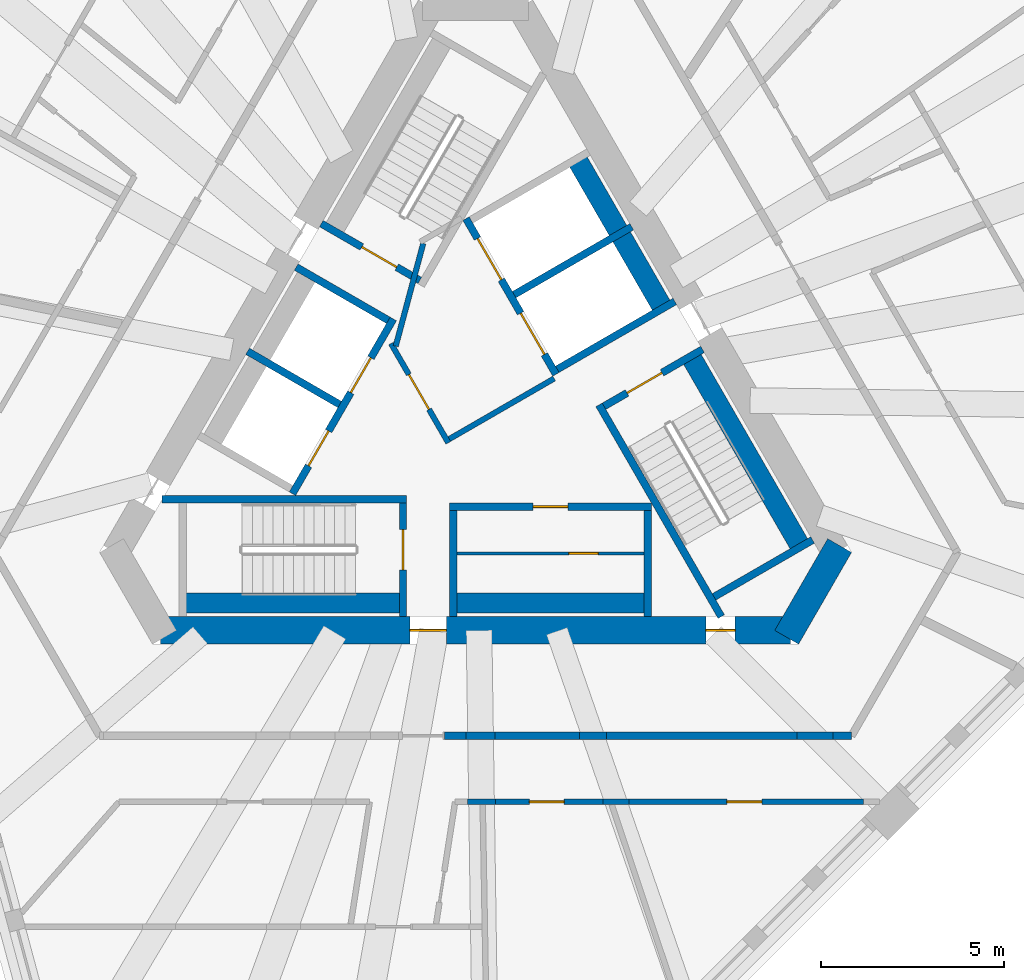
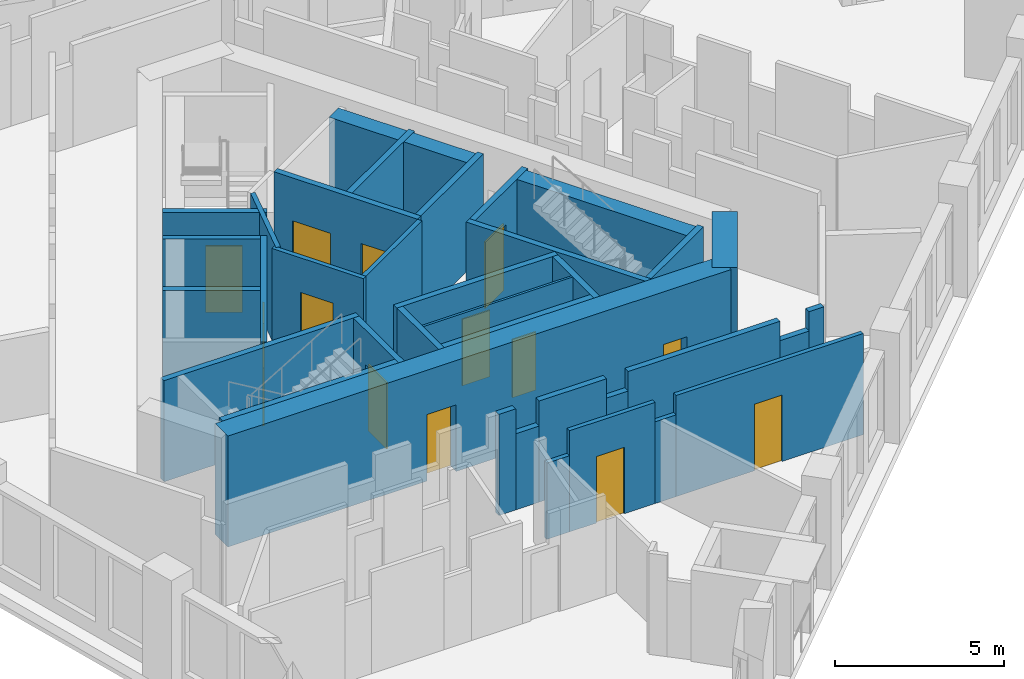
# One storey, part 4 of 13: 36 walls, 14 doors, 14 openings.
"""IFC4 building model written with IfcOpenShell, lengths in metres."""

from ifc_helpers import new_model, si_unit, direction, frame, frame_2d, origin, place, context, subcontext, project, spatial, rectangle, extrude, material, layer, layer_set, type_object, element, fill, save


model = new_model("IFC4")

# Units and contexts
model_context = context("Model", 3, precision=1e-05, world=origin(), true_north=direction((0.0, 1.0)))
body_context = subcontext(model_context, "Body", "Model", "MODEL_VIEW")
ifc_project = project(units=[si_unit("LENGTHUNIT", "METRE"), si_unit("AREAUNIT", "SQUARE_METRE"), si_unit("VOLUMEUNIT", "CUBIC_METRE"), si_unit("PLANEANGLEUNIT", "RADIAN"), si_unit("MASSUNIT", "GRAM", prefix="KILO")], contexts=[model_context])

# Site, building, storey
site_placement = place(None, origin())
site = spatial("IfcSite", under=ifc_project, at=site_placement, CompositionType="ELEMENT")
building_placement = place(site_placement, origin())
building = spatial("IfcBuilding", under=site, at=building_placement, Name="Tramontana Tower", CompositionType="ELEMENT")
storey_placement = place(building_placement, frame((0.0, 0.0, 228.0)))
storey = spatial("IfcBuildingStorey", under=building, at=storey_placement, Name="L53", CompositionType="ELEMENT", Elevation=228.0)

# Wall, openings, doors
ifc_material_1 = material(Name="Concrete 70 MPa", Category="concrete")
ifc_layer_1 = layer(ifc_material_1, 0.75)
ifc_layer_set_1 = layer_set([ifc_layer_1], Name="Core wall 750 70 MPa")
wall_type_1 = type_object("IfcWallType", Name="Core wall 750 70 MPa", PredefinedType="SHEAR", material=ifc_layer_set_1)
wall_1_placement = place(storey_placement, frame((-8.588134765625, -6.375, 0.0), z_axis=(0.0, 0.0, 1.0), x_axis=(1.0, 0.0, 0.0)))
wall_1 = element("IfcWall", 1, at=wall_1_placement, inside=storey, type_object=wall_type_1, Name="Core wall C3 L53", PredefinedType="SHEAR", context=body_context, shape_type="SweptSolid", body=[
    extrude(rectangle(XDim=17.17626953125, YDim=0.75, at=frame_2d((8.588134765625, 0.0))), origin(), (0.0, 0.0, 1.0), 4.0),
])
opening_1_placement = place(wall_1_placement, frame((6.793212890625, 0.0, 0.0)))
opening_1 = element("IfcOpeningElement", 2, at=opening_1_placement, cuts=wall_1, Name="Opening RG2", PredefinedType="OPENING", context=body_context, shape_type="SweptSolid", body=[
    extrude(rectangle(XDim=1.0, YDim=2.39990234375, at=frame_2d((0.5, 1.199951171875))), frame((0.0, 0.385009765625, 0.0), z_axis=(0.0, -1.0, 0.0), x_axis=(1.0, 0.0, 0.0)), (0.0, 0.0, 1.0), 0.77001953125),
])
opening_2_placement = place(wall_1_placement, frame((14.863525390625, 0.0, 0.0)))
opening_2 = element("IfcOpeningElement", 3, at=opening_2_placement, cuts=wall_1, Name="Opening PD2", PredefinedType="OPENING", context=body_context, shape_type="SweptSolid", body=[
    extrude(rectangle(XDim=0.800048828125, YDim=2.10009765625, at=frame_2d((0.39990234375, 1.050048828125))), frame((0.0, 0.385009765625, 0.0), z_axis=(0.0, -1.0, 0.0), x_axis=(1.0, 0.0, 0.0)), (0.0, 0.0, 1.0), 0.77001953125),
])
ifc_material_2 = material(Name="Painted steel", Category="steel")
door_type_1 = type_object("IfcDoorType", Name="CUPBOARD DOOR 800", OperationType="SINGLE_SWING_LEFT", PredefinedType="DOOR", material=ifc_material_2)
door_1_placement = place(opening_2_placement, origin())
door_1 = element("IfcDoor", 4, at=door_1_placement, inside=storey, type_object=door_type_1, Name="Door PD2", OperationType="SINGLE_SWING_RIGHT", OverallHeight=2.10009765625, OverallWidth=0.800048828125, PredefinedType="DOOR", context=body_context, shape_type="SweptSolid", body=[
    extrude(rectangle(XDim=0.800048828125, YDim=2.10009765625, at=frame_2d((0.39990234375, 1.050048828125))), frame((0.0, 0.02490234375, 0.0), z_axis=(0.0, -1.0, 0.0), x_axis=(1.0, 0.0, 0.0)), (0.0, 0.0, 1.0), 0.050048828125),
])
fill(opening_2, door_1)
ifc_material_3 = material(Name="Painted steel", Category="steel")
door_type_2 = type_object("IfcDoorType", Name="RING DOOR 1000", OperationType="SINGLE_SWING_LEFT", PredefinedType="DOOR", material=ifc_material_3)
door_2_placement = place(opening_1_placement, origin())
door_2 = element("IfcDoor", 5, at=door_2_placement, inside=storey, type_object=door_type_2, Name="Door RG2", OperationType="SINGLE_SWING_LEFT", OverallHeight=2.39990234375, OverallWidth=1.0, PredefinedType="DOOR", context=body_context, shape_type="SweptSolid", body=[
    extrude(rectangle(XDim=1.0, YDim=2.39990234375, at=frame_2d((0.5, 1.199951171875))), frame((0.0, 0.02490234375, 0.0), z_axis=(0.0, -1.0, 0.0), x_axis=(1.0, 0.0, 0.0)), (0.0, 0.0, 1.0), 0.050048828125),
])
fill(opening_1, door_2)

# Walls
wall_2_placement = place(storey_placement, frame((8.479736328125, -6.5625, 0.0), z_axis=(0.0, 0.0, 1.0), x_axis=(0.499995765644, 0.866027848477, 0.0)))
element("IfcWall", 6, at=wall_2_placement, inside=storey, type_object=wall_type_1, Name="Core wall C4 L53", PredefinedType="SHEAR", context=body_context, shape_type="SweptSolid", body=[
    extrude(rectangle(XDim=2.88671875, YDim=0.75, at=frame_2d((1.443359375, 0.0))), origin(), (0.0, 0.0, 1.0), 4.0),
])
ifc_material_4 = material(Name="Blockwork", Category="masonry")
ifc_layer_2 = layer(ifc_material_4, 0.199951171875)
ifc_layer_set_2 = layer_set([ifc_layer_2], Name="ENTRY WALL 200")
wall_type_2 = type_object("IfcWallType", Name="ENTRY WALL 200", PredefinedType="SOLIDWALL", material=ifc_layer_set_2)
wall_3_placement = place(storey_placement, frame((10.248046875, -9.25, 0.0), z_axis=(0.0, 0.0, 1.0), x_axis=(-1.0, 0.0, 0.0)))
element("IfcWall", 7, at=wall_3_placement, inside=storey, type_object=wall_type_2, Name="Wall v52-ew2-0", PredefinedType="SOLIDWALL", context=body_context, shape_type="SweptSolid", body=[
    extrude(rectangle(XDim=0.503173828125, YDim=0.199951171875, at=frame_2d((0.25146484375, 0.0))), origin(), (0.0, 0.0, 1.0), 3.64990234375),
])
wall_4_placement = place(storey_placement, frame((9.744873046875, -9.25, 0.0), z_axis=(0.0, 0.0, 1.0), x_axis=(-1.0, 0.0, 0.0)))
element("IfcWall", 8, at=wall_4_placement, inside=storey, type_object=wall_type_2, Name="Wall v52-ew2-1", PredefinedType="SOLIDWALL", context=body_context, shape_type="SweptSolid", body=[
    extrude(rectangle(XDim=0.98974609375, YDim=0.199951171875, at=frame_2d((0.494873046875, 0.0))), origin(), (0.0, 0.0, 1.0), 2.949951171875),
])
wall_5_placement = place(storey_placement, frame((8.755126953125, -9.25, 0.0), z_axis=(0.0, 0.0, 1.0), x_axis=(-1.0, 0.0, 0.0)))
element("IfcWall", 9, at=wall_5_placement, inside=storey, type_object=wall_type_2, Name="Wall v52-ew2-2", PredefinedType="SOLIDWALL", context=body_context, shape_type="SweptSolid", body=[
    extrude(rectangle(XDim=5.18212890625, YDim=0.199951171875, at=frame_2d((2.591064453125, 0.0))), origin(), (0.0, 0.0, 1.0), 3.64990234375),
])
wall_6_placement = place(storey_placement, frame((3.572998046875, -9.25, 0.0), z_axis=(0.0, 0.0, 1.0), x_axis=(-1.0, 0.0, 0.0)))
element("IfcWall", 10, at=wall_6_placement, inside=storey, type_object=wall_type_2, Name="Wall v52-ew2-3", PredefinedType="SOLIDWALL", context=body_context, shape_type="SweptSolid", body=[
    extrude(rectangle(XDim=0.74072265625, YDim=0.199951171875, at=frame_2d((0.370361328125, 0.0))), origin(), (0.0, 0.0, 1.0), 2.949951171875),
])
wall_7_placement = place(storey_placement, frame((2.832275390625, -9.25, 0.0), z_axis=(0.0, 0.0, 1.0), x_axis=(-1.0, 0.0, 0.0)))
element("IfcWall", 11, at=wall_7_placement, inside=storey, type_object=wall_type_2, Name="Wall v52-ew2-4", PredefinedType="SOLIDWALL", context=body_context, shape_type="SweptSolid", body=[
    extrude(rectangle(XDim=2.29736328125, YDim=0.199951171875, at=frame_2d((1.148681640625, 0.0))), origin(), (0.0, 0.0, 1.0), 3.64990234375),
])
wall_8_placement = place(storey_placement, frame((0.534912109375, -9.25, 0.0), z_axis=(0.0, 0.0, 1.0), x_axis=(-1.0, 0.0, 0.0)))
element("IfcWall", 12, at=wall_8_placement, inside=storey, type_object=wall_type_2, Name="Wall v52-ew2-5", PredefinedType="SOLIDWALL", context=body_context, shape_type="SweptSolid", body=[
    extrude(rectangle(XDim=0.800048828125, YDim=0.199951171875, at=frame_2d((0.39990234375, 0.0))), origin(), (0.0, 0.0, 1.0), 2.75),
])
wall_9_placement = place(storey_placement, frame((-0.26513671875, -9.25, 0.0), z_axis=(0.0, 0.0, 1.0), x_axis=(-1.0, 0.0, 0.0)))
element("IfcWall", 13, at=wall_9_placement, inside=storey, type_object=wall_type_2, Name="Wall v52-ew2-6", PredefinedType="SOLIDWALL", context=body_context, shape_type="SweptSolid", body=[
    extrude(rectangle(XDim=0.576171875, YDim=0.199951171875, at=frame_2d((0.2880859375, 0.0))), origin(), (0.0, 0.0, 1.0), 3.64990234375),
])

# Wall, opening, door
ifc_material_5 = material(Name="Gypsum board partition")
ifc_layer_3 = layer(ifc_material_5, 0.14990234375)
ifc_layer_set_3 = layer_set([ifc_layer_3], Name="PARTITION 150")
wall_type_3 = type_object("IfcWallType", Name="PARTITION 150", PredefinedType="PARTITIONING", material=ifc_layer_set_3)
wall_10_placement = place(storey_placement, frame((-0.744140625, -1.260986328125, 0.0), z_axis=(0.0, 0.0, 1.0), x_axis=(-0.500004234368, 0.866022959057, 0.0)))
wall_10 = element("IfcWall", 14, at=wall_10_placement, inside=storey, type_object=wall_type_3, Name="Wall ff-front", PredefinedType="PARTITIONING", context=body_context, shape_type="SweptSolid", body=[
    extrude(rectangle(XDim=3.125, YDim=0.14990234375, at=frame_2d((1.5625, 0.0))), origin(), (0.0, 0.0, 1.0), 3.64990234375),
])
opening_3_placement = place(wall_10_placement, frame((1.050048828125, 0.0, 0.0)))
opening_3 = element("IfcOpeningElement", 15, at=opening_3_placement, cuts=wall_10, Name="Opening FD1", PredefinedType="OPENING", context=body_context, shape_type="SweptSolid", body=[
    extrude(rectangle(XDim=1.10009765625, YDim=2.39990234375, at=frame_2d((0.550048828125, 1.199951171875))), frame((0.0, 0.0849609375, 0.0), z_axis=(0.0, -1.0, 0.0), x_axis=(1.0, 0.0, 0.0)), (0.0, 0.0, 1.0), 0.169921875),
])
ifc_material_6 = material(Name="Painted timber", Category="wood")
door_type_3 = type_object("IfcDoorType", Name="DOOR ENTRY 1100", OperationType="SINGLE_SWING_LEFT", PredefinedType="DOOR", material=ifc_material_6)
door_3_placement = place(opening_3_placement, origin())
door_3 = element("IfcDoor", 16, at=door_3_placement, inside=storey, type_object=door_type_3, Name="Door FD1", OperationType="SINGLE_SWING_LEFT", OverallHeight=2.39990234375, OverallWidth=1.10009765625, PredefinedType="DOOR", context=body_context, shape_type="SweptSolid", body=[
    extrude(rectangle(XDim=1.10009765625, YDim=2.39990234375, at=frame_2d((0.550048828125, 1.199951171875))), frame((0.0, 0.02490234375, 0.0), z_axis=(0.0, -1.0, 0.0), x_axis=(1.0, 0.0, 0.0)), (0.0, 0.0, 1.0), 0.050048828125),
])
fill(opening_3, door_3)

# Walls
wall_11_placement = place(storey_placement, frame((-0.716796875, -1.15869140625, 0.0), z_axis=(0.0, 0.0, 1.0), x_axis=(0.866008176907, 0.50002983664, 0.0)))
element("IfcWall", 17, at=wall_11_placement, inside=storey, type_object=wall_type_3, Name="Wall ff-end0", PredefinedType="PARTITIONING", context=body_context, shape_type="SweptSolid", body=[
    extrude(rectangle(XDim=3.300048828125, YDim=0.14990234375, at=frame_2d((1.64990234375, 0.0))), origin(), (0.0, 0.0, 1.0), 3.64990234375),
])
wall_12_placement = place(storey_placement, frame((-2.177978515625, 1.372314453125, 0.0), z_axis=(0.0, 0.0, 1.0), x_axis=(0.258808958833, 0.96592852884, 0.0)))
element("IfcWall", 18, at=wall_12_placement, inside=storey, type_object=wall_type_3, Name="Wall ff-diag", PredefinedType="PARTITIONING", context=body_context, shape_type="SweptSolid", body=[
    extrude(rectangle(XDim=2.902587890625, YDim=0.14990234375, at=frame_2d((1.451171875, 0.0))), origin(), (0.0, 0.0, 1.0), 3.64990234375),
])

# Wall, opening, door
wall_13_placement = place(storey_placement, frame((10.57275390625, -11.050048828125, 0.0), z_axis=(0.0, 0.0, 1.0), x_axis=(-1.0, 0.0, 0.0)))
wall_13 = element("IfcWall", 19, at=wall_13_placement, inside=storey, type_object=wall_type_3, Name="Wall v52-pw32-1", PredefinedType="PARTITIONING", context=body_context, shape_type="SweptSolid", body=[
    extrude(rectangle(XDim=6.3896484375, YDim=0.14990234375, at=frame_2d((3.19482421875, 0.0))), origin(), (0.0, 0.0, 1.0), 3.64990234375),
])
opening_4_placement = place(wall_13_placement, frame((2.77001953125, 0.0, 0.0)))
opening_4 = element("IfcOpeningElement", 20, at=opening_4_placement, cuts=wall_13, Name="Opening B5C-11", PredefinedType="OPENING", context=body_context, shape_type="SweptSolid", body=[
    extrude(rectangle(XDim=0.949951171875, YDim=2.39990234375, at=frame_2d((0.47509765625, 1.199951171875))), frame((0.0, 0.0849609375, 0.0), z_axis=(0.0, -1.0, 0.0), x_axis=(1.0, 0.0, 0.0)), (0.0, 0.0, 1.0), 0.169921875),
])
ifc_material_7 = material(Name="Painted timber", Category="wood")
door_type_4 = type_object("IfcDoorType", Name="DOOR ROOM 950", OperationType="SINGLE_SWING_LEFT", PredefinedType="DOOR", material=ifc_material_7)
door_4_placement = place(opening_4_placement, origin())
door_4 = element("IfcDoor", 21, at=door_4_placement, inside=storey, type_object=door_type_4, Name="Door B5C-11", OperationType="SINGLE_SWING_LEFT", OverallHeight=2.39990234375, OverallWidth=0.949951171875, PredefinedType="DOOR", context=body_context, shape_type="SweptSolid", body=[
    extrude(rectangle(XDim=0.949951171875, YDim=2.39990234375, at=frame_2d((0.47509765625, 1.199951171875))), frame((0.0, 0.02490234375, 0.0), z_axis=(0.0, -1.0, 0.0), x_axis=(1.0, 0.0, 0.0)), (0.0, 0.0, 1.0), 0.050048828125),
])
fill(opening_4, door_4)

# Wall
wall_14_placement = place(storey_placement, frame((4.18310546875, -11.050048828125, 0.0), z_axis=(0.0, 0.0, 1.0), x_axis=(-1.0, 0.0, 0.0)))
element("IfcWall", 22, at=wall_14_placement, inside=storey, type_object=wall_type_3, Name="Wall v52-pw32-2", PredefinedType="PARTITIONING", context=body_context, shape_type="SweptSolid", body=[
    extrude(rectangle(XDim=0.71435546875, YDim=0.14990234375, at=frame_2d((0.357177734375, 0.0))), origin(), (0.0, 0.0, 1.0), 2.949951171875),
])

# Wall, opening, door
wall_15_placement = place(storey_placement, frame((3.46875, -11.050048828125, 0.0), z_axis=(0.0, 0.0, 1.0), x_axis=(-1.0, 0.0, 0.0)))
wall_15 = element("IfcWall", 23, at=wall_15_placement, inside=storey, type_object=wall_type_3, Name="Wall v52-pw32-3", PredefinedType="PARTITIONING", context=body_context, shape_type="SweptSolid", body=[
    extrude(rectangle(XDim=2.919921875, YDim=0.14990234375, at=frame_2d((1.4599609375, 0.0))), origin(), (0.0, 0.0, 1.0), 3.64990234375),
])
opening_5_placement = place(wall_15_placement, frame((1.05419921875, 0.0, 0.0)))
opening_5 = element("IfcOpeningElement", 24, at=opening_5_placement, cuts=wall_15, Name="Opening B5C-10", PredefinedType="OPENING", context=body_context, shape_type="SweptSolid", body=[
    extrude(rectangle(XDim=0.949951171875, YDim=2.39990234375, at=frame_2d((0.47509765625, 1.199951171875))), frame((0.0, 0.0849609375, 0.0), z_axis=(0.0, -1.0, 0.0), x_axis=(1.0, 0.0, 0.0)), (0.0, 0.0, 1.0), 0.169921875),
])
door_5_placement = place(opening_5_placement, origin())
door_5 = element("IfcDoor", 25, at=door_5_placement, inside=storey, type_object=door_type_4, Name="Door B5C-10", OperationType="SINGLE_SWING_RIGHT", OverallHeight=2.39990234375, OverallWidth=0.949951171875, PredefinedType="DOOR", context=body_context, shape_type="SweptSolid", body=[
    extrude(rectangle(XDim=0.949951171875, YDim=2.39990234375, at=frame_2d((0.47509765625, 1.199951171875))), frame((0.0, 0.02490234375, 0.0), z_axis=(0.0, -1.0, 0.0), x_axis=(1.0, 0.0, 0.0)), (0.0, 0.0, 1.0), 0.050048828125),
])
fill(opening_5, door_5)

# Wall
wall_16_placement = place(storey_placement, frame((0.548828125, -11.050048828125, 0.0), z_axis=(0.0, 0.0, 1.0), x_axis=(-1.0, 0.0, 0.0)))
element("IfcWall", 26, at=wall_16_placement, inside=storey, type_object=wall_type_3, Name="Wall v52-pw32-4", PredefinedType="PARTITIONING", context=body_context, shape_type="SweptSolid", body=[
    extrude(rectangle(XDim=0.775146484375, YDim=0.14990234375, at=frame_2d((0.3876953125, 0.0))), origin(), (0.0, 0.0, 1.0), 2.75),
])

# Wall, opening, door
ifc_material_8 = material(Name="Gypsum board partition")
ifc_layer_4 = layer(ifc_material_8, 0.080078125)
ifc_layer_set_4 = layer_set([ifc_layer_4], Name="PARTITION 80")
wall_type_4 = type_object("IfcWallType", Name="PARTITION 80", PredefinedType="PARTITIONING", material=ifc_layer_set_4)
wall_17_placement = place(storey_placement, frame((4.590087890625, -4.27490234375, 0.0), z_axis=(0.0, 0.0, 1.0), x_axis=(-1.0, 0.0, 0.0)))
wall_17 = element("IfcWall", 27, at=wall_17_placement, inside=storey, type_object=wall_type_4, Name="Wall row1-split", PredefinedType="PARTITIONING", context=body_context, shape_type="SweptSolid", body=[
    extrude(rectangle(XDim=5.10009765625, YDim=0.080078125, at=frame_2d((2.550048828125, 0.0))), origin(), (0.0, 0.0, 1.0), 3.64990234375),
])
opening_6_placement = place(wall_17_placement, frame((1.25, 0.0, 0.0)))
opening_6 = element("IfcOpeningElement", 28, at=opening_6_placement, cuts=wall_17, Name="Opening RD-1B", PredefinedType="OPENING", context=body_context, shape_type="SweptSolid", body=[
    extrude(rectangle(XDim=0.800048828125, YDim=2.10009765625, at=frame_2d((0.39990234375, 1.050048828125))), frame((0.0, 0.050048828125, 0.0), z_axis=(0.0, -1.0, 0.0), x_axis=(1.0, 0.0, 0.0)), (0.0, 0.0, 1.0), 0.10009765625),
])
door_6_placement = place(opening_6_placement, origin())
door_6 = element("IfcDoor", 29, at=door_6_placement, inside=storey, type_object=door_type_1, Name="Door RD-1B", OperationType="SINGLE_SWING_RIGHT", OverallHeight=2.10009765625, OverallWidth=0.800048828125, PredefinedType="DOOR", context=body_context, shape_type="SweptSolid", body=[
    extrude(rectangle(XDim=0.800048828125, YDim=2.10009765625, at=frame_2d((0.39990234375, 1.050048828125))), frame((0.0, 0.02490234375, 0.0), z_axis=(0.0, -1.0, 0.0), x_axis=(1.0, 0.0, 0.0)), (0.0, 0.0, 1.0), 0.050048828125),
])
fill(opening_6, door_6)

# Walls
ifc_material_9 = material(Name="Concrete 70 MPa", Category="concrete")
ifc_layer_5 = layer(ifc_material_9, 0.550048828125)
ifc_layer_set_5 = layer_set([ifc_layer_5], Name="Concrete 70 MPa, 550 mm")
wall_type_5 = type_object("IfcWallType", Name="RC SHAFT BACK WALL 550", PredefinedType="SOLIDWALL", material=ifc_layer_set_5)
wall_18_placement = place(storey_placement, frame((-8.080078125, -5.625, 0.0), z_axis=(0.0, 0.0, 1.0), x_axis=(1.0, 0.0, 0.0)))
element("IfcWall", 30, at=wall_18_placement, inside=storey, type_object=wall_type_5, Name="Wall st2-back", PredefinedType="SOLIDWALL", context=body_context, shape_type="SweptSolid", body=[
    extrude(rectangle(XDim=6.2001953125, YDim=0.550048828125, at=frame_2d((3.10009765625, 0.0))), origin(), (0.0, 0.0, 1.0), 3.64990234375),
])
wall_19_placement = place(storey_placement, frame((8.911376953125, -4.18505859375, 0.0), z_axis=(0.0, 0.0, 1.0), x_axis=(-0.500009909098, 0.866019682689, 0.0)))
element("IfcWall", 31, at=wall_19_placement, inside=storey, type_object=wall_type_5, Name="Wall st3-back", PredefinedType="SOLIDWALL", context=body_context, shape_type="SweptSolid", body=[
    extrude(rectangle(XDim=6.199951171875, YDim=0.550048828125, at=frame_2d((3.10009765625, 0.0))), origin(), (0.0, 0.0, 1.0), 3.64990234375),
])
wall_20_placement = place(storey_placement, frame((-0.7099609375, -5.625, 0.0), z_axis=(0.0, 0.0, 1.0), x_axis=(1.0, 0.0, 0.0)))
element("IfcWall", 32, at=wall_20_placement, inside=storey, type_object=wall_type_5, Name="Wall row1-back", PredefinedType="SOLIDWALL", context=body_context, shape_type="SweptSolid", body=[
    extrude(rectangle(XDim=5.5, YDim=0.550048828125, at=frame_2d((2.75, 0.0))), origin(), (0.0, 0.0, 1.0), 3.64990234375),
])
wall_21_placement = place(storey_placement, frame((5.156494140625, 2.31884765625, 0.0), z_axis=(0.0, 0.0, 1.0), x_axis=(-0.500018594424, 0.866014668023, 0.0)))
element("IfcWall", 33, at=wall_21_placement, inside=storey, type_object=wall_type_5, Name="Wall row2-back", PredefinedType="SOLIDWALL", context=body_context, shape_type="SweptSolid", body=[
    extrude(rectangle(XDim=4.900146484375, YDim=0.550048828125, at=frame_2d((2.4501953125, 0.0))), origin(), (0.0, 0.0, 1.0), 3.64990234375),
])

# Wall, opening, door
ifc_material_10 = material(Name="Concrete 70 MPa", Category="concrete")
ifc_layer_6 = layer(ifc_material_10, 0.199951171875)
ifc_layer_set_6 = layer_set([ifc_layer_6], Name="Concrete 70 MPa, 200 mm")
wall_type_6 = type_object("IfcWallType", Name="RC STAIR AND SHAFT WALL 200", PredefinedType="SOLIDWALL", material=ifc_layer_set_6)
wall_22_placement = place(storey_placement, frame((-1.521484375, 3.164794921875, 0.0), z_axis=(0.0, 0.0, 1.0), x_axis=(-0.86600983753, 0.500026960575, 0.0)))
wall_22 = element("IfcWall", 34, at=wall_22_placement, inside=storey, type_object=wall_type_6, Name="Wall st1-near", PredefinedType="SOLIDWALL", context=body_context, shape_type="SweptSolid", body=[
    extrude(rectangle(XDim=3.099853515625, YDim=0.199951171875, at=frame_2d((1.5498046875, 0.0))), origin(), (0.0, 0.0, 1.0), 3.64990234375),
])
opening_7_placement = place(wall_22_placement, frame((0.72509765625, 0.0, 0.0)))
opening_7 = element("IfcOpeningElement", 35, at=opening_7_placement, cuts=wall_22, Name="Opening SD1", PredefinedType="OPENING", context=body_context, shape_type="SweptSolid", body=[
    extrude(rectangle(XDim=1.10009765625, YDim=2.39990234375, at=frame_2d((0.550048828125, 1.199951171875))), frame((0.0, 0.10986328125, 0.0), z_axis=(0.0, -1.0, 0.0), x_axis=(1.0, 0.0, 0.0)), (0.0, 0.0, 1.0), 0.219970703125),
])
ifc_material_11 = material(Name="Painted steel", Category="steel")
door_type_5 = type_object("IfcDoorType", Name="STAIR DOOR 1100", OperationType="SINGLE_SWING_LEFT", PredefinedType="DOOR", material=ifc_material_11)
door_7_placement = place(opening_7_placement, origin())
door_7 = element("IfcDoor", 36, at=door_7_placement, inside=storey, type_object=door_type_5, Name="Door SD1", OperationType="SINGLE_SWING_RIGHT", OverallHeight=2.39990234375, OverallWidth=1.10009765625, PredefinedType="DOOR", context=body_context, shape_type="SweptSolid", body=[
    extrude(rectangle(XDim=1.10009765625, YDim=2.39990234375, at=frame_2d((0.550048828125, 1.199951171875))), frame((0.0, 0.02490234375, 0.0), z_axis=(0.0, -1.0, 0.0), x_axis=(1.0, 0.0, 0.0)), (0.0, 0.0, 1.0), 0.050048828125),
])
fill(opening_7, door_7)

# Wall
wall_23_placement = place(storey_placement, frame((-8.544677734375, -2.800048828125, 0.0), z_axis=(0.0, 0.0, 1.0), x_axis=(1.0, 0.0, 0.0)))
element("IfcWall", 37, at=wall_23_placement, inside=storey, type_object=wall_type_6, Name="Wall st2-front", PredefinedType="SOLIDWALL", context=body_context, shape_type="SweptSolid", body=[
    extrude(rectangle(XDim=6.664794921875, YDim=0.199951171875, at=frame_2d((3.33251953125, 0.0))), origin(), (0.0, 0.0, 1.0), 3.64990234375),
])

# Wall, opening, door
wall_24_placement = place(storey_placement, frame((-1.97998046875, -2.89990234375, 0.0), z_axis=(0.0, 0.0, 1.0), x_axis=(0.0, -1.0, 0.0)))
wall_24 = element("IfcWall", 38, at=wall_24_placement, inside=storey, type_object=wall_type_6, Name="Wall st2-near", PredefinedType="SOLIDWALL", context=body_context, shape_type="SweptSolid", body=[
    extrude(rectangle(XDim=3.10009765625, YDim=0.199951171875, at=frame_2d((1.550048828125, 0.0))), origin(), (0.0, 0.0, 1.0), 3.64990234375),
])
opening_8_placement = place(wall_24_placement, frame((0.72509765625, 0.0, 0.0)))
opening_8 = element("IfcOpeningElement", 39, at=opening_8_placement, cuts=wall_24, Name="Opening SD2", PredefinedType="OPENING", context=body_context, shape_type="SweptSolid", body=[
    extrude(rectangle(XDim=1.10009765625, YDim=2.39990234375, at=frame_2d((0.550048828125, 1.199951171875))), frame((0.0, 0.10986328125, 0.0), z_axis=(0.0, -1.0, 0.0), x_axis=(1.0, 0.0, 0.0)), (0.0, 0.0, 1.0), 0.219970703125),
])
door_8_placement = place(opening_8_placement, origin())
door_8 = element("IfcDoor", 40, at=door_8_placement, inside=storey, type_object=door_type_5, Name="Door SD2", OperationType="SINGLE_SWING_LEFT", OverallHeight=2.39990234375, OverallWidth=1.10009765625, PredefinedType="DOOR", context=body_context, shape_type="SweptSolid", body=[
    extrude(rectangle(XDim=1.10009765625, YDim=2.39990234375, at=frame_2d((0.550048828125, 1.199951171875))), frame((0.0, 0.02490234375, 0.0), z_axis=(0.0, -1.0, 0.0), x_axis=(1.0, 0.0, 0.0)), (0.0, 0.0, 1.0), 0.050048828125),
])
fill(opening_8, door_8)

# Walls
wall_25_placement = place(storey_placement, frame((6.697265625, -6.0, 0.0), z_axis=(0.0, 0.0, 1.0), x_axis=(-0.499980354584, 0.866036745774, 0.0)))
element("IfcWall", 41, at=wall_25_placement, inside=storey, type_object=wall_type_6, Name="Wall st3-front", PredefinedType="SOLIDWALL", context=body_context, shape_type="SweptSolid", body=[
    extrude(rectangle(XDim=6.664794921875, YDim=0.199951171875, at=frame_2d((3.33251953125, 0.0))), origin(), (0.0, 0.0, 1.0), 3.64990234375),
])
wall_26_placement = place(storey_placement, frame((6.50146484375, -5.4609375, 0.0), z_axis=(0.0, 0.0, 1.0), x_axis=(0.86600983753, 0.500026960575, 0.0)))
element("IfcWall", 42, at=wall_26_placement, inside=storey, type_object=wall_type_6, Name="Wall st3-far", PredefinedType="SOLIDWALL", context=body_context, shape_type="SweptSolid", body=[
    extrude(rectangle(XDim=3.099853515625, YDim=0.199951171875, at=frame_2d((1.5498046875, 0.0))), origin(), (0.0, 0.0, 1.0), 3.64990234375),
])

# Wall, opening, door
wall_27_placement = place(storey_placement, frame((3.50146484375, -0.2646484375, 0.0), z_axis=(0.0, 0.0, 1.0), x_axis=(0.866043940782, 0.499967891604, 0.0)))
wall_27 = element("IfcWall", 43, at=wall_27_placement, inside=storey, type_object=wall_type_6, Name="Wall st3-near", PredefinedType="SOLIDWALL", context=body_context, shape_type="SweptSolid", body=[
    extrude(rectangle(XDim=3.099853515625, YDim=0.199951171875, at=frame_2d((1.5498046875, 0.0))), origin(), (0.0, 0.0, 1.0), 3.64990234375),
])
opening_9_placement = place(wall_27_placement, frame((0.72509765625, 0.0, 0.0)))
opening_9 = element("IfcOpeningElement", 44, at=opening_9_placement, cuts=wall_27, Name="Opening SD3", PredefinedType="OPENING", context=body_context, shape_type="SweptSolid", body=[
    extrude(rectangle(XDim=1.10009765625, YDim=2.39990234375, at=frame_2d((0.550048828125, 1.199951171875))), frame((0.0, 0.10986328125, 0.0), z_axis=(0.0, -1.0, 0.0), x_axis=(1.0, 0.0, 0.0)), (0.0, 0.0, 1.0), 0.219970703125),
])
door_9_placement = place(opening_9_placement, origin())
door_9 = element("IfcDoor", 45, at=door_9_placement, inside=storey, type_object=door_type_5, Name="Door SD3", OperationType="SINGLE_SWING_RIGHT", OverallHeight=2.39990234375, OverallWidth=1.10009765625, PredefinedType="DOOR", context=body_context, shape_type="SweptSolid", body=[
    extrude(rectangle(XDim=1.10009765625, YDim=2.39990234375, at=frame_2d((0.550048828125, 1.199951171875))), frame((0.0, 0.02490234375, 0.0), z_axis=(0.0, -1.0, 0.0), x_axis=(1.0, 0.0, 0.0)), (0.0, 0.0, 1.0), 0.050048828125),
])
fill(opening_9, door_9)

# Wall, openings, doors
wall_28_placement = place(storey_placement, frame((-2.2431640625, 2.114990234375, 0.0), z_axis=(0.0, 0.0, 1.0), x_axis=(-0.499996545922, -0.866027397988, 0.0)))
wall_28 = element("IfcWall", 46, at=wall_28_placement, inside=storey, type_object=wall_type_6, Name="Wall row0-front", PredefinedType="SOLIDWALL", context=body_context, shape_type="SweptSolid", body=[
    extrude(rectangle(XDim=5.5, YDim=0.199951171875, at=frame_2d((2.75, 0.0))), origin(), (0.0, 0.0, 1.0), 3.64990234375),
])
opening_10_placement = place(wall_28_placement, frame((1.219970703125, 0.0, 0.0)))
opening_10 = element("IfcOpeningElement", 47, at=opening_10_placement, cuts=wall_28, Name="Opening LD-P1", PredefinedType="OPENING", context=body_context, shape_type="SweptSolid", body=[
    extrude(rectangle(XDim=1.10009765625, YDim=2.10009765625, at=frame_2d((0.550048828125, 1.050048828125))), frame((0.0, 0.10986328125, 0.0), z_axis=(0.0, -1.0, 0.0), x_axis=(1.0, 0.0, 0.0)), (0.0, 0.0, 1.0), 0.219970703125),
])
opening_11_placement = place(wall_28_placement, frame((3.52490234375, 0.0, 0.0)))
opening_11 = element("IfcOpeningElement", 48, at=opening_11_placement, cuts=wall_28, Name="Opening LD-P2", PredefinedType="OPENING", context=body_context, shape_type="SweptSolid", body=[
    extrude(rectangle(XDim=1.10009765625, YDim=2.10009765625, at=frame_2d((0.550048828125, 1.050048828125))), frame((0.0, 0.10986328125, 0.0), z_axis=(0.0, -1.0, 0.0), x_axis=(1.0, 0.0, 0.0)), (0.0, 0.0, 1.0), 0.219970703125),
])
ifc_material_12 = material(Name="Brushed steel", Category="steel")
door_type_6 = type_object("IfcDoorType", Name="LANDING DOOR 1100", OperationType="SINGLE_SWING_LEFT", PredefinedType="DOOR", material=ifc_material_12)
door_10_placement = place(opening_10_placement, origin())
door_10 = element("IfcDoor", 49, at=door_10_placement, inside=storey, type_object=door_type_6, Name="Door LD-P1", OperationType="SLIDING_TO_LEFT", OverallHeight=2.10009765625, OverallWidth=1.10009765625, PredefinedType="DOOR", context=body_context, shape_type="SweptSolid", body=[
    extrude(rectangle(XDim=1.10009765625, YDim=2.10009765625, at=frame_2d((0.550048828125, 1.050048828125))), frame((0.0, 0.02490234375, 0.0), z_axis=(0.0, -1.0, 0.0), x_axis=(1.0, 0.0, 0.0)), (0.0, 0.0, 1.0), 0.050048828125),
])
fill(opening_10, door_10)
door_11_placement = place(opening_11_placement, origin())
door_11 = element("IfcDoor", 50, at=door_11_placement, inside=storey, type_object=door_type_6, Name="Door LD-P2", OperationType="SLIDING_TO_RIGHT", OverallHeight=2.10009765625, OverallWidth=1.10009765625, PredefinedType="DOOR", context=body_context, shape_type="SweptSolid", body=[
    extrude(rectangle(XDim=1.10009765625, YDim=2.10009765625, at=frame_2d((0.550048828125, 1.050048828125))), frame((0.0, 0.02490234375, 0.0), z_axis=(0.0, -1.0, 0.0), x_axis=(1.0, 0.0, 0.0)), (0.0, 0.0, 1.0), 0.050048828125),
])
fill(opening_11, door_11)

# Walls
wall_29_placement = place(storey_placement, frame((-2.379638671875, 2.078369140625, 0.0), z_axis=(0.0, 0.0, 1.0), x_axis=(-0.866032775405, 0.499987231761, 0.0)))
element("IfcWall", 51, at=wall_29_placement, inside=storey, type_object=wall_type_6, Name="Wall row0-side0", PredefinedType="SOLIDWALL", context=body_context, shape_type="SweptSolid", body=[
    extrude(rectangle(XDim=2.89990234375, YDim=0.199951171875, at=frame_2d((1.449951171875, 0.0))), origin(), (0.0, 0.0, 1.0), 3.64990234375),
])
wall_30_placement = place(storey_placement, frame((-3.70458984375, -0.216796875, 0.0), z_axis=(0.0, 0.0, 1.0), x_axis=(-0.865996321171, 0.50005036918, 0.0)))
element("IfcWall", 52, at=wall_30_placement, inside=storey, type_object=wall_type_6, Name="Wall row0-side1", PredefinedType="SOLIDWALL", context=body_context, shape_type="SweptSolid", body=[
    extrude(rectangle(XDim=2.900146484375, YDim=0.199951171875, at=frame_2d((1.4501953125, 0.0))), origin(), (0.0, 0.0, 1.0), 3.64990234375),
])

# Wall, opening, door
wall_31_placement = place(storey_placement, frame((4.7900390625, -3.0, 0.0), z_axis=(0.0, 0.0, 1.0), x_axis=(-1.0, 0.0, 0.0)))
wall_31 = element("IfcWall", 53, at=wall_31_placement, inside=storey, type_object=wall_type_6, Name="Wall row1-front", PredefinedType="SOLIDWALL", context=body_context, shape_type="SweptSolid", body=[
    extrude(rectangle(XDim=5.5, YDim=0.199951171875, at=frame_2d((2.75, 0.0))), origin(), (0.0, 0.0, 1.0), 3.64990234375),
])
opening_12_placement = place(wall_31_placement, frame((2.27490234375, 0.0, 0.0)))
opening_12 = element("IfcOpeningElement", 54, at=opening_12_placement, cuts=wall_31, Name="Opening RD-1A", PredefinedType="OPENING", context=body_context, shape_type="SweptSolid", body=[
    extrude(rectangle(XDim=0.949951171875, YDim=2.39990234375, at=frame_2d((0.47509765625, 1.199951171875))), frame((0.0, 0.10986328125, 0.0), z_axis=(0.0, -1.0, 0.0), x_axis=(1.0, 0.0, 0.0)), (0.0, 0.0, 1.0), 0.219970703125),
])
door_12_placement = place(opening_12_placement, origin())
door_12 = element("IfcDoor", 55, at=door_12_placement, inside=storey, type_object=door_type_4, Name="Door RD-1A", OperationType="SINGLE_SWING_LEFT", OverallHeight=2.39990234375, OverallWidth=0.949951171875, PredefinedType="DOOR", context=body_context, shape_type="SweptSolid", body=[
    extrude(rectangle(XDim=0.949951171875, YDim=2.39990234375, at=frame_2d((0.47509765625, 1.199951171875))), frame((0.0, 0.02490234375, 0.0), z_axis=(0.0, -1.0, 0.0), x_axis=(1.0, 0.0, 0.0)), (0.0, 0.0, 1.0), 0.050048828125),
])
fill(opening_12, door_12)

# Walls
for number, where, z_axis, x_axis, name in (
    (56, (-0.610107421875, -3.10009765625, 0.0), (0.0, 0.0, 1.0), (0.0, -1.0, 0.0), "Wall row1-side0"),
    (57, (4.68994140625, -3.10009765625, 0.0), (0.0, 0.0, 1.0), (0.0, -1.0, 0.0), "Wall row1-side2"),
):
    element("IfcWall", number, at=place(storey_placement, frame(where, z_axis=z_axis, x_axis=x_axis)), inside=storey, type_object=wall_type_6, Name=name, PredefinedType="SOLIDWALL", context=body_context, shape_type="SweptSolid", body=[
        extrude(rectangle(XDim=2.89990234375, YDim=0.199951171875, at=frame_2d((1.449951171875, 0.0))), origin(), (0.0, 0.0, 1.0), 3.64990234375),
    ])

# Wall, openings, doors
wall_32_placement = place(storey_placement, frame((2.190185546875, 0.6064453125, 0.0), z_axis=(0.0, 0.0, 1.0), x_axis=(-0.500002801628, 0.866023786258, 0.0)))
wall_32 = element("IfcWall", 58, at=wall_32_placement, inside=storey, type_object=wall_type_6, Name="Wall row2-front", PredefinedType="SOLIDWALL", context=body_context, shape_type="SweptSolid", body=[
    extrude(rectangle(XDim=4.89990234375, YDim=0.199951171875, at=frame_2d((2.449951171875, 0.0))), origin(), (0.0, 0.0, 1.0), 3.64990234375),
])
opening_13_placement = place(wall_32_placement, frame((0.625, 0.0, 0.0)))
opening_13 = element("IfcOpeningElement", 59, at=opening_13_placement, cuts=wall_32, Name="Opening LD-F1", PredefinedType="OPENING", context=body_context, shape_type="SweptSolid", body=[
    extrude(rectangle(XDim=1.300048828125, YDim=2.10009765625, at=frame_2d((0.64990234375, 1.050048828125))), frame((0.0, 0.10986328125, 0.0), z_axis=(0.0, -1.0, 0.0), x_axis=(1.0, 0.0, 0.0)), (0.0, 0.0, 1.0), 0.219970703125),
])
opening_14_placement = place(wall_32_placement, frame((2.97509765625, 0.0, 0.0)))
opening_14 = element("IfcOpeningElement", 60, at=opening_14_placement, cuts=wall_32, Name="Opening LD-F2", PredefinedType="OPENING", context=body_context, shape_type="SweptSolid", body=[
    extrude(rectangle(XDim=1.300048828125, YDim=2.10009765625, at=frame_2d((0.64990234375, 1.050048828125))), frame((0.0, 0.10986328125, 0.0), z_axis=(0.0, -1.0, 0.0), x_axis=(1.0, 0.0, 0.0)), (0.0, 0.0, 1.0), 0.219970703125),
])
ifc_material_13 = material(Name="Brushed steel", Category="steel")
door_type_7 = type_object("IfcDoorType", Name="LANDING DOOR 1300", OperationType="SINGLE_SWING_LEFT", PredefinedType="DOOR", material=ifc_material_13)
door_13_placement = place(opening_13_placement, origin())
door_13 = element("IfcDoor", 61, at=door_13_placement, inside=storey, type_object=door_type_7, Name="Door LD-F1", OperationType="SLIDING_TO_LEFT", OverallHeight=2.10009765625, OverallWidth=1.300048828125, PredefinedType="DOOR", context=body_context, shape_type="SweptSolid", body=[
    extrude(rectangle(XDim=1.300048828125, YDim=2.10009765625, at=frame_2d((0.64990234375, 1.050048828125))), frame((0.0, 0.02490234375, 0.0), z_axis=(0.0, -1.0, 0.0), x_axis=(1.0, 0.0, 0.0)), (0.0, 0.0, 1.0), 0.050048828125),
])
fill(opening_13, door_13)
door_14_placement = place(opening_14_placement, origin())
door_14 = element("IfcDoor", 62, at=door_14_placement, inside=storey, type_object=door_type_7, Name="Door LD-F2", OperationType="SLIDING_TO_RIGHT", OverallHeight=2.10009765625, OverallWidth=1.300048828125, PredefinedType="DOOR", context=body_context, shape_type="SweptSolid", body=[
    extrude(rectangle(XDim=1.300048828125, YDim=2.10009765625, at=frame_2d((0.64990234375, 1.050048828125))), frame((0.0, 0.02490234375, 0.0), z_axis=(0.0, -1.0, 0.0), x_axis=(1.0, 0.0, 0.0)), (0.0, 0.0, 1.0), 0.050048828125),
])
fill(opening_14, door_14)

# Walls
for number, where, z_axis, x_axis, name in (
    (63, (2.226806640625, 0.742919921875, 0.0), (0.0, 0.0, 1.0), (0.86601746898, 0.500013743233, 0.0), "Wall row2-side0"),
    (64, (1.0517578125, 2.778076171875, 0.0), (0.0, 0.0, 1.0), (0.86601746898, 0.500013743233, 0.0), "Wall row2-side1"),
):
    element("IfcWall", number, at=place(storey_placement, frame(where, z_axis=z_axis, x_axis=x_axis)), inside=storey, type_object=wall_type_6, Name=name, PredefinedType="SOLIDWALL", context=body_context, shape_type="SweptSolid", body=[
        extrude(rectangle(XDim=3.7001953125, YDim=0.199951171875, at=frame_2d((1.85009765625, 0.0))), origin(), (0.0, 0.0, 1.0), 3.64990234375),
    ])

save(model, "model.ifc")
